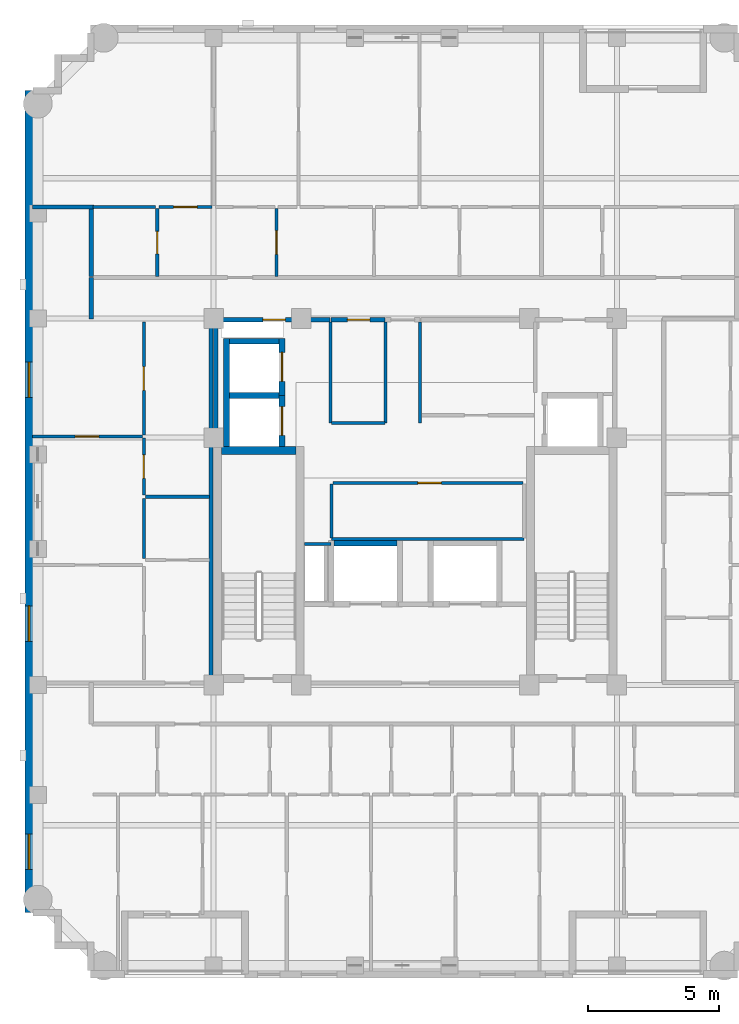
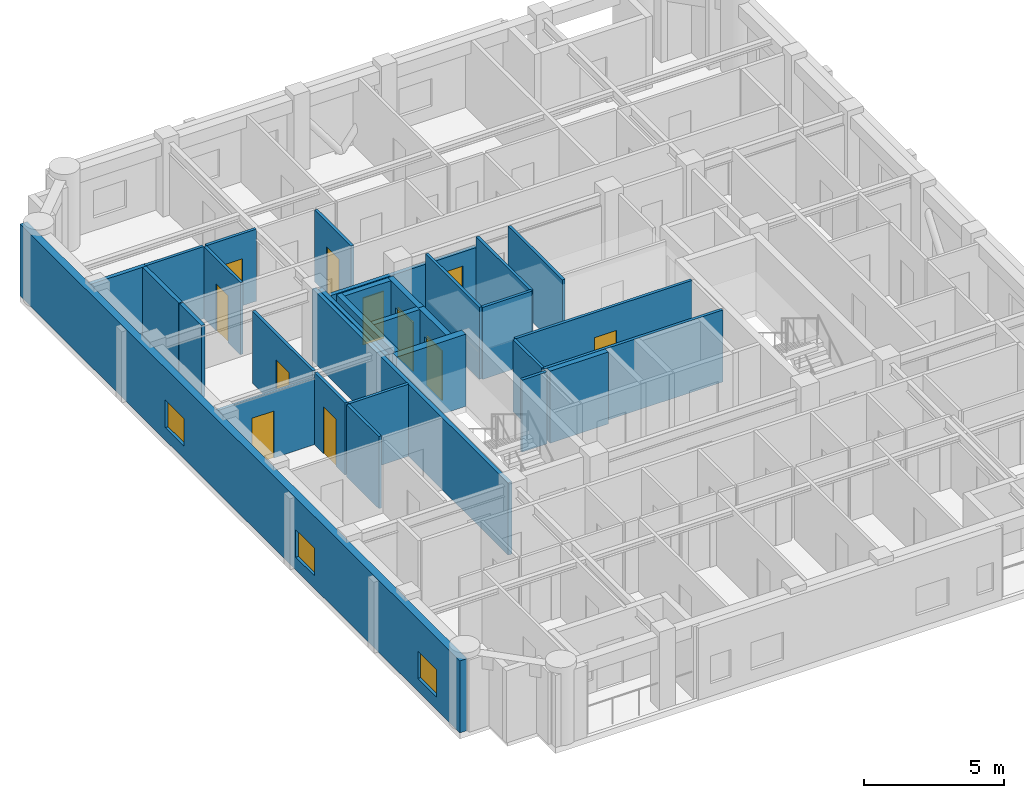
# One storey, part 5 of 11: 32 walls, 11 doors, 3 windows, 14 openings.
"""IFC4 building model written with IfcOpenShell, lengths in metres."""

from ifc_helpers import new_model, si_unit, derived_unit, direction, frame, frame_2d, origin, place, context, subcontext, project, spatial, rectangle, extrude, material, layer, layer_set, type_object, element, fill, save


model = new_model("IFC4")

# Units and contexts
model_context = context("Model", 3, precision=1e-05, world=origin(), true_north=direction((0.0, 1.0)))
body_context = subcontext(model_context, "Body", "Model", "MODEL_VIEW")
ifc_project = project(units=[si_unit("LENGTHUNIT", "METRE"), si_unit("AREAUNIT", "SQUARE_METRE"), si_unit("VOLUMEUNIT", "CUBIC_METRE"), si_unit("PLANEANGLEUNIT", "RADIAN"), si_unit("MASSUNIT", "GRAM", prefix="KILO"), derived_unit("THERMALTRANSMITTANCEUNIT", [(si_unit("MASSUNIT", "GRAM", prefix="KILO"), 1), (si_unit("TIMEUNIT", "SECOND"), -3), (si_unit("THERMODYNAMICTEMPERATUREUNIT", "KELVIN"), -1)])], contexts=[model_context])

# Site, building, storey
site_placement = place(None, origin())
site = spatial("IfcSite", under=ifc_project, at=site_placement, CompositionType="ELEMENT")
building_placement = place(site_placement, origin())
building = spatial("IfcBuilding", under=site, at=building_placement, Name="Korrvale Station Residences", CompositionType="ELEMENT")
storey_placement = place(building_placement, frame((0.0, 0.0, 224.10009765625)))
storey = spatial("IfcBuildingStorey", under=building, at=storey_placement, Name="L65", CompositionType="ELEMENT", Elevation=224.10009765625)

# Wall
ifc_material_1 = material(Name="Concrete C50/60", Category="concrete")
ifc_layer_1 = layer(ifc_material_1, 0.300048828125, Name="Concrete C50/60")
ifc_layer_set_1 = layer_set([ifc_layer_1], Name="Concrete C50/60")
wall_type_1 = type_object("IfcWallType", Name="WAL-CORE-300-C50", PredefinedType="SHEAR", material=ifc_layer_set_1)
wall_1_placement = place(storey_placement, frame((18.10009765625, 23.949951171875, 0.0), z_axis=(0.0, 0.0, 1.0), x_axis=(1.0, 0.0, 0.0)))
element("IfcWall", 1, at=wall_1_placement, inside=storey, type_object=wall_type_1, Name="L65 ST-1 Core Shear Wall North", PredefinedType="SHEAR", context=body_context, shape_type="SweptSolid", body=[
    extrude(rectangle(XDim=2.849853515625, YDim=0.300048828125, at=frame_2d((1.4248046875, 0.0))), origin(), (0.0, 0.0, 1.0), 3.139892578125),
])

# Wall, openings, windows
ifc_material_2 = material(Name="Precast concrete C45/55", Category="concrete")
ifc_layer_2 = layer(ifc_material_2, 0.300048828125, Name="Precast concrete C45/55")
ifc_layer_set_2 = layer_set([ifc_layer_2], Name="Precast concrete C45/55")
wall_type_2 = type_object("IfcWallType", Name="WAL-EXT-PC300", PredefinedType="SOLIDWALL", material=ifc_layer_set_2)
wall_2_placement = place(storey_placement, frame((10.75, 6.300048828125, 0.0), z_axis=(0.0, 0.0, 1.0), x_axis=(0.0, 1.0, 0.0)))
wall_2 = element("IfcWall", 2, at=wall_2_placement, inside=storey, type_object=wall_type_2, Name="L65 West Exterior Precast Wall 1", PredefinedType="SOLIDWALL", context=body_context, shape_type="SweptSolid", body=[
    extrude(rectangle(XDim=31.39990234375, YDim=0.300048828125, at=frame_2d((15.699951171875, 0.0))), origin(), (0.0, 0.0, 1.0), 3.139892578125),
])
opening_1_placement = place(wall_2_placement, frame((1.653076171875, 0.0, 0.550048828125)))
opening_1 = element("IfcOpeningElement", 3, at=opening_1_placement, cuts=wall_2, Name="Opening W-10", PredefinedType="OPENING", context=body_context, shape_type="SweptSolid", body=[
    extrude(rectangle(XDim=1.35009765625, YDim=1.199951171875, at=frame_2d((0.675048828125, 0.60009765625))), frame((0.0, 0.16015625, 0.0), z_axis=(0.0, -1.0, 0.0), x_axis=(1.0, 0.0, 0.0)), (0.0, 0.0, 1.0), 0.320068359375),
])
opening_2_placement = place(wall_2_placement, frame((10.366943359375, 0.0, 0.550048828125)))
opening_2 = element("IfcOpeningElement", 4, at=opening_2_placement, cuts=wall_2, Name="Opening W-10", PredefinedType="OPENING", context=body_context, shape_type="SweptSolid", body=[
    extrude(rectangle(XDim=1.35009765625, YDim=1.199951171875, at=frame_2d((0.675048828125, 0.60009765625))), frame((0.0, 0.16015625, 0.0), z_axis=(0.0, -1.0, 0.0), x_axis=(1.0, 0.0, 0.0)), (0.0, 0.0, 1.0), 0.320068359375),
])
opening_3_placement = place(wall_2_placement, frame((19.68310546875, 0.0, 0.550048828125)))
opening_3 = element("IfcOpeningElement", 5, at=opening_3_placement, cuts=wall_2, Name="Opening W-10", PredefinedType="OPENING", context=body_context, shape_type="SweptSolid", body=[
    extrude(rectangle(XDim=1.35009765625, YDim=1.199951171875, at=frame_2d((0.675048828125, 0.60009765625))), frame((0.0, 0.16015625, 0.0), z_axis=(0.0, -1.0, 0.0), x_axis=(1.0, 0.0, 0.0)), (0.0, 0.0, 1.0), 0.320068359375),
])
ifc_material_3 = material(Name="Thermally broken aluminium frame with triple low-e glazing", Category="aluminium")
window_type = type_object("IfcWindowType", Name="WIN-W10", PartitioningType="SINGLE_PANEL", PredefinedType="WINDOW", material=ifc_material_3)
window_1_placement = place(opening_1_placement, origin())
window_1 = element("IfcWindow", 6, at=window_1_placement, inside=storey, type_object=window_type, Name="L65 Punched Window 01", OverallHeight=1.199951171875, OverallWidth=1.35009765625, PartitioningType="SINGLE_PANEL", PredefinedType="WINDOW", context=body_context, shape_type="SweptSolid", body=[
    extrude(rectangle(XDim=1.35009765625, YDim=1.199951171875, at=frame_2d((0.675048828125, 0.60009765625))), frame((0.0, 0.030029296875, 0.0), z_axis=(0.0, -1.0, 0.0), x_axis=(1.0, 0.0, 0.0)), (0.0, 0.0, 1.0), 0.06005859375),
])
fill(opening_1, window_1)
window_2_placement = place(opening_2_placement, origin())
window_2 = element("IfcWindow", 7, at=window_2_placement, inside=storey, type_object=window_type, Name="L65 Punched Window 13", OverallHeight=1.199951171875, OverallWidth=1.35009765625, PartitioningType="SINGLE_PANEL", PredefinedType="WINDOW", context=body_context, shape_type="SweptSolid", body=[
    extrude(rectangle(XDim=1.35009765625, YDim=1.199951171875, at=frame_2d((0.675048828125, 0.60009765625))), frame((0.0, 0.030029296875, 0.0), z_axis=(0.0, -1.0, 0.0), x_axis=(1.0, 0.0, 0.0)), (0.0, 0.0, 1.0), 0.06005859375),
])
fill(opening_2, window_2)
window_3_placement = place(opening_3_placement, origin())
window_3 = element("IfcWindow", 8, at=window_3_placement, inside=storey, type_object=window_type, Name="L65 Punched Window 14", OverallHeight=1.199951171875, OverallWidth=1.35009765625, PartitioningType="SINGLE_PANEL", PredefinedType="WINDOW", context=body_context, shape_type="SweptSolid", body=[
    extrude(rectangle(XDim=1.35009765625, YDim=1.199951171875, at=frame_2d((0.675048828125, 0.60009765625))), frame((0.0, 0.030029296875, 0.0), z_axis=(0.0, -1.0, 0.0), x_axis=(1.0, 0.0, 0.0)), (0.0, 0.0, 1.0), 0.06005859375),
])
fill(opening_3, window_3)

# Walls
ifc_material_4 = material(Name="Acoustic steel-stud gypsum board partition", Category="steel")
ifc_layer_3 = layer(ifc_material_4, 0.1201171875, Name="Acoustic steel-stud gypsum board partition")
ifc_layer_set_3 = layer_set([ifc_layer_3], Name="Acoustic steel-stud gypsum board partition")
wall_type_3 = type_object("IfcWallType", Name="WAL-PART-125", PredefinedType="PARTITIONING", material=ifc_layer_set_3)
wall_3_placement = place(storey_placement, frame((22.280029296875, 20.3798828125, 0.0), z_axis=(0.0, 0.0, 1.0), x_axis=(-1.0, 0.0, 0.0)))
element("IfcWall", 9, at=wall_3_placement, inside=storey, type_object=wall_type_3, Name="L65 Core Partition CW-RSWT-N", PredefinedType="PARTITIONING", context=body_context, shape_type="SweptSolid", body=[
    extrude(rectangle(XDim=1.02001953125, YDim=0.1201171875, at=frame_2d((0.510009765625, 0.0))), origin(), (0.0, 0.0, 1.0), 3.139892578125),
])
for number, where, z_axis, x_axis, name in (
    (10, (24.360107421875, 25.0, 0.0), (0.0, 0.0, 1.0), (0.0, 1.0, 0.0), "L65 Core Partition CW-PSG-W"),
    (11, (25.679931640625, 25.0, 0.0), (0.0, 0.0, 1.0), (0.0, 1.0, 0.0), "L65 Core Partition CW-PSG-E"),
):
    element("IfcWall", number, at=place(storey_placement, frame(where, z_axis=z_axis, x_axis=x_axis)), inside=storey, type_object=wall_type_3, Name=name, PredefinedType="PARTITIONING", context=body_context, shape_type="SweptSolid", body=[
        extrude(rectangle(XDim=3.8701171875, YDim=0.1201171875, at=frame_2d((1.93505859375, 0.0))), origin(), (0.0, 0.0, 1.0), 3.139892578125),
    ])
wall_4_placement = place(storey_placement, frame((22.260009765625, 25.0, 0.0), z_axis=(0.0, 0.0, 1.0), x_axis=(0.0, 1.0, 0.0)))
element("IfcWall", 12, at=wall_4_placement, inside=storey, type_object=wall_type_3, Name="L65 Core Partition CW-FPLW-W", PredefinedType="PARTITIONING", context=body_context, shape_type="SweptSolid", body=[
    extrude(rectangle(XDim=3.860107421875, YDim=0.1201171875, at=frame_2d((1.93017578125, 0.0))), origin(), (0.0, 0.0, 1.0), 3.139892578125),
])
wall_5_placement = place(storey_placement, frame((22.300048828125, 25.0, 0.0), z_axis=(0.0, 0.0, 1.0), x_axis=(1.0, 0.0, 0.0)))
element("IfcWall", 13, at=wall_5_placement, inside=storey, type_object=wall_type_3, Name="L65 Core Partition CW-FPLW-S", PredefinedType="PARTITIONING", context=body_context, shape_type="SweptSolid", body=[
    extrude(rectangle(XDim=2.0400390625, YDim=0.1201171875, at=frame_2d((1.02001953125, 0.0))), origin(), (0.0, 0.0, 1.0), 3.139892578125),
])
wall_6_placement = place(storey_placement, frame((22.300048828125, 20.580078125, 0.0), z_axis=(0.0, 0.0, 1.0), x_axis=(1.0, 0.0, 0.0)))
element("IfcWall", 14, at=wall_6_placement, inside=storey, type_object=wall_type_3, Name="L65 Core Partition CW-FPM-S", PredefinedType="PARTITIONING", context=body_context, shape_type="SweptSolid", body=[
    extrude(rectangle(XDim=7.349853515625, YDim=0.1201171875, at=frame_2d((3.6748046875, 0.0))), origin(), (0.0, 0.0, 1.0), 3.139892578125),
])
wall_7_placement = place(storey_placement, frame((22.300048828125, 20.6201171875, 0.0), z_axis=(0.0, 0.0, 1.0), x_axis=(0.0, 1.0, 0.0)))
element("IfcWall", 15, at=wall_7_placement, inside=storey, type_object=wall_type_3, Name="L65 Core Partition CW-FPM-W", PredefinedType="PARTITIONING", context=body_context, shape_type="SweptSolid", body=[
    extrude(rectangle(XDim=2.059814453125, YDim=0.1201171875, at=frame_2d((1.02978515625, 0.0))), origin(), (0.0, 0.0, 1.0), 3.139892578125),
])

# Wall, opening, door
wall_8_placement = place(storey_placement, frame((22.35009765625, 22.719970703125, 0.0), z_axis=(0.0, 0.0, 1.0), x_axis=(1.0, 0.0, 0.0)))
wall_8 = element("IfcWall", 16, at=wall_8_placement, inside=storey, type_object=wall_type_3, Name="L65 Core Partition CW-FPM-N", PredefinedType="PARTITIONING", context=body_context, shape_type="SweptSolid", body=[
    extrude(rectangle(XDim=7.27001953125, YDim=0.1201171875, at=frame_2d((3.635009765625, 0.0))), origin(), (0.0, 0.0, 1.0), 3.139892578125),
])
opening_4_placement = place(wall_8_placement, frame((3.25, 0.0, 0.0)))
opening_4 = element("IfcOpeningElement", 17, at=opening_4_placement, cuts=wall_8, Name="Opening DI-900", PredefinedType="OPENING", context=body_context, shape_type="SweptSolid", body=[
    extrude(rectangle(XDim=0.89990234375, YDim=2.050048828125, at=frame_2d((0.449951171875, 1.02490234375))), frame((0.0, 0.070068359375, 0.0), z_axis=(0.0, -1.0, 0.0), x_axis=(1.0, 0.0, 0.0)), (0.0, 0.0, 1.0), 0.14013671875),
])
ifc_material_5 = material(Name="Painted solid-core timber interior room door", Category="wood")
door_type_1 = type_object("IfcDoorType", Name="DR-INT-900", OperationType="NOTDEFINED", PredefinedType="DOOR", material=ifc_material_5)
door_1_placement = place(opening_4_placement, origin())
door_1 = element("IfcDoor", 18, at=door_1_placement, inside=storey, type_object=door_type_1, Name="L65 Beverage Store Door", OperationType="SINGLE_SWING_RIGHT", OverallHeight=2.050048828125, OverallWidth=0.89990234375, PredefinedType="DOOR", context=body_context, shape_type="SweptSolid", body=[
    extrude(rectangle(XDim=0.89990234375, YDim=2.050048828125, at=frame_2d((0.449951171875, 1.02490234375))), frame((0.0, 0.02490234375, 0.0), z_axis=(0.0, -1.0, 0.0), x_axis=(1.0, 0.0, 0.0)), (0.0, 0.0, 1.0), 0.050048828125),
])
fill(opening_4, door_1)

wall_9_placement = place(storey_placement, frame((15.639892578125, 30.60009765625, 0.0), z_axis=(0.0, 0.0, 1.0), x_axis=(0.0, 1.0, 0.0)))
wall_9 = element("IfcWall", 19, at=wall_9_placement, inside=storey, type_object=wall_type_3, Name="L65 Suite Partition U02-V01", PredefinedType="PARTITIONING", context=body_context, shape_type="SweptSolid", body=[
    extrude(rectangle(XDim=2.599853515625, YDim=0.1201171875, at=frame_2d((1.2998046875, 0.0))), origin(), (0.0, 0.0, 1.0), 3.139892578125),
])
opening_5_placement = place(wall_9_placement, frame((0.8701171875, 0.0, 0.0)))
opening_5 = element("IfcOpeningElement", 20, at=opening_5_placement, cuts=wall_9, Name="Opening DB-860", PredefinedType="OPENING", context=body_context, shape_type="SweptSolid", body=[
    extrude(rectangle(XDim=0.860107421875, YDim=2.050048828125, at=frame_2d((0.43017578125, 1.02490234375))), frame((0.0, 0.070068359375, 0.0), z_axis=(0.0, -1.0, 0.0), x_axis=(1.0, 0.0, 0.0)), (0.0, 0.0, 1.0), 0.14013671875),
])
ifc_material_6 = material(Name="Moisture-resistant solid-core bathroom door", Category="timber")
door_type_2 = type_object("IfcDoorType", Name="DR-BATH-860", OperationType="NOTDEFINED", PredefinedType="DOOR", material=ifc_material_6)
door_2_placement = place(opening_5_placement, origin())
door_2 = element("IfcDoor", 21, at=door_2_placement, inside=storey, type_object=door_type_2, Name="L65 Apartment 2BR L65-U02 Bathroom Door", OperationType="SINGLE_SWING_LEFT", OverallHeight=2.050048828125, OverallWidth=0.860107421875, PredefinedType="DOOR", context=body_context, shape_type="SweptSolid", body=[
    extrude(rectangle(XDim=0.860107421875, YDim=2.050048828125, at=frame_2d((0.43017578125, 1.02490234375))), frame((0.0, 0.02490234375, 0.0), z_axis=(0.0, -1.0, 0.0), x_axis=(1.0, 0.0, 0.0)), (0.0, 0.0, 1.0), 0.050048828125),
])
fill(opening_5, door_2)

# Wall
wall_10_placement = place(storey_placement, frame((13.179931640625, 33.260009765625, 0.0), z_axis=(0.0, 0.0, 1.0), x_axis=(1.0, 0.0, 0.0)))
element("IfcWall", 22, at=wall_10_placement, inside=storey, type_object=wall_type_3, Name="L65 Suite Partition U02-H05", PredefinedType="PARTITIONING", context=body_context, shape_type="SweptSolid", body=[
    extrude(rectangle(XDim=2.400146484375, YDim=0.1201171875, at=frame_2d((1.2001953125, 0.0))), origin(), (0.0, 0.0, 1.0), 3.139892578125),
])

# Wall, opening, door
wall_11_placement = place(storey_placement, frame((20.199951171875, 30.60009765625, 0.0), z_axis=(0.0, 0.0, 1.0), x_axis=(0.0, 1.0, 0.0)))
wall_11 = element("IfcWall", 23, at=wall_11_placement, inside=storey, type_object=wall_type_3, Name="L65 Suite Partition U02-V12", PredefinedType="PARTITIONING", context=body_context, shape_type="SweptSolid", body=[
    extrude(rectangle(XDim=2.599853515625, YDim=0.1201171875, at=frame_2d((1.2998046875, 0.0))), origin(), (0.0, 0.0, 1.0), 3.139892578125),
])
opening_6_placement = place(wall_11_placement, frame((0.85009765625, 0.0, 0.0)))
opening_6 = element("IfcOpeningElement", 24, at=opening_6_placement, cuts=wall_11, Name="Opening DI-900", PredefinedType="OPENING", context=body_context, shape_type="SweptSolid", body=[
    extrude(rectangle(XDim=0.89990234375, YDim=2.050048828125, at=frame_2d((0.449951171875, 1.02490234375))), frame((0.0, 0.070068359375, 0.0), z_axis=(0.0, -1.0, 0.0), x_axis=(1.0, 0.0, 0.0)), (0.0, 0.0, 1.0), 0.14013671875),
])
door_3_placement = place(opening_6_placement, origin())
door_3 = element("IfcDoor", 25, at=door_3_placement, inside=storey, type_object=door_type_1, Name="L65 Apartment 2BR L65-U02 Kitchen Door", OperationType="SINGLE_SWING_RIGHT", OverallHeight=2.050048828125, OverallWidth=0.89990234375, PredefinedType="DOOR", context=body_context, shape_type="SweptSolid", body=[
    extrude(rectangle(XDim=0.89990234375, YDim=2.050048828125, at=frame_2d((0.449951171875, 1.02490234375))), frame((0.0, 0.02490234375, 0.0), z_axis=(0.0, -1.0, 0.0), x_axis=(1.0, 0.0, 0.0)), (0.0, 0.0, 1.0), 0.050048828125),
])
fill(opening_6, door_3)

wall_12_placement = place(storey_placement, frame((15.699951171875, 33.260009765625, 0.0), z_axis=(0.0, 0.0, 1.0), x_axis=(1.0, 0.0, 0.0)))
wall_12 = element("IfcWall", 26, at=wall_12_placement, inside=storey, type_object=wall_type_3, Name="L65 Suite Partition U02-H15", PredefinedType="PARTITIONING", context=body_context, shape_type="SweptSolid", body=[
    extrude(rectangle(XDim=2.0400390625, YDim=0.1201171875, at=frame_2d((1.02001953125, 0.0))), origin(), (0.0, 0.0, 1.0), 3.139892578125),
])
opening_7_placement = place(wall_12_placement, frame((0.570068359375, 0.0, 0.0)))
opening_7 = element("IfcOpeningElement", 27, at=opening_7_placement, cuts=wall_12, Name="Opening DI-900", PredefinedType="OPENING", context=body_context, shape_type="SweptSolid", body=[
    extrude(rectangle(XDim=0.89990234375, YDim=2.050048828125, at=frame_2d((0.449951171875, 1.02490234375))), frame((0.0, 0.070068359375, 0.0), z_axis=(0.0, -1.0, 0.0), x_axis=(1.0, 0.0, 0.0)), (0.0, 0.0, 1.0), 0.14013671875),
])
door_4_placement = place(opening_7_placement, origin())
door_4 = element("IfcDoor", 28, at=door_4_placement, inside=storey, type_object=door_type_1, Name="L65 Apartment 2BR L65-U02 Kitchen Door", OperationType="SINGLE_SWING_LEFT", OverallHeight=2.050048828125, OverallWidth=0.89990234375, PredefinedType="DOOR", context=body_context, shape_type="SweptSolid", body=[
    extrude(rectangle(XDim=0.89990234375, YDim=2.050048828125, at=frame_2d((0.449951171875, 1.02490234375))), frame((0.0, 0.02490234375, 0.0), z_axis=(0.0, -1.0, 0.0), x_axis=(1.0, 0.0, 0.0)), (0.0, 0.0, 1.0), 0.050048828125),
])
fill(opening_7, door_4)

# Wall
wall_13_placement = place(storey_placement, frame((15.18994140625, 22.18994140625, 0.0), z_axis=(0.0, 0.0, 1.0), x_axis=(1.0, 0.0, 0.0)))
element("IfcWall", 29, at=wall_13_placement, inside=storey, type_object=wall_type_3, Name="L65 Suite Partition U04-H01", PredefinedType="PARTITIONING", context=body_context, shape_type="SweptSolid", body=[
    extrude(rectangle(XDim=2.449951171875, YDim=0.1201171875, at=frame_2d((1.22509765625, 0.0))), origin(), (0.0, 0.0, 1.0), 3.139892578125),
])

# Wall, opening, door
wall_14_placement = place(storey_placement, frame((15.1298828125, 22.25, 0.0), z_axis=(0.0, 0.0, 1.0), x_axis=(0.0, 1.0, 0.0)))
wall_14 = element("IfcWall", 30, at=wall_14_placement, inside=storey, type_object=wall_type_3, Name="L65 Suite Partition U04-V04", PredefinedType="PARTITIONING", context=body_context, shape_type="SweptSolid", body=[
    extrude(rectangle(XDim=2.181884765625, YDim=0.1201171875, at=frame_2d((1.0908203125, 0.0))), origin(), (0.0, 0.0, 1.0), 3.139892578125),
])
opening_8_placement = place(wall_14_placement, frame((0.64111328125, 0.0, 0.0)))
opening_8 = element("IfcOpeningElement", 31, at=opening_8_placement, cuts=wall_14, Name="Opening DI-900", PredefinedType="OPENING", context=body_context, shape_type="SweptSolid", body=[
    extrude(rectangle(XDim=0.89990234375, YDim=2.050048828125, at=frame_2d((0.449951171875, 1.02490234375))), frame((0.0, 0.070068359375, 0.0), z_axis=(0.0, -1.0, 0.0), x_axis=(1.0, 0.0, 0.0)), (0.0, 0.0, 1.0), 0.14013671875),
])
door_5_placement = place(opening_8_placement, origin())
door_5 = element("IfcDoor", 32, at=door_5_placement, inside=storey, type_object=door_type_1, Name="L65 Apartment 2BR L65-U04 Wardrobe Storage Room Door", OperationType="SINGLE_SWING_LEFT", OverallHeight=2.050048828125, OverallWidth=0.89990234375, PredefinedType="DOOR", context=body_context, shape_type="SweptSolid", body=[
    extrude(rectangle(XDim=0.89990234375, YDim=2.050048828125, at=frame_2d((0.449951171875, 1.02490234375))), frame((0.0, 0.02490234375, 0.0), z_axis=(0.0, -1.0, 0.0), x_axis=(1.0, 0.0, 0.0)), (0.0, 0.0, 1.0), 0.050048828125),
])
fill(opening_8, door_5)

wall_15_placement = place(storey_placement, frame((15.1298828125, 24.552001953125, 0.0), z_axis=(0.0, 0.0, 1.0), x_axis=(0.0, 1.0, 0.0)))
wall_15 = element("IfcWall", 33, at=wall_15_placement, inside=storey, type_object=wall_type_3, Name="L65 Suite Partition U04-V05", PredefinedType="PARTITIONING", context=body_context, shape_type="SweptSolid", body=[
    extrude(rectangle(XDim=4.30810546875, YDim=0.1201171875, at=frame_2d((2.154052734375, 0.0))), origin(), (0.0, 0.0, 1.0), 3.139892578125),
])
opening_9_placement = place(wall_15_placement, frame((1.7041015625, 0.0, 0.0)))
opening_9 = element("IfcOpeningElement", 34, at=opening_9_placement, cuts=wall_15, Name="Opening DI-900", PredefinedType="OPENING", context=body_context, shape_type="SweptSolid", body=[
    extrude(rectangle(XDim=0.89990234375, YDim=2.050048828125, at=frame_2d((0.449951171875, 1.02490234375))), frame((0.0, 0.070068359375, 0.0), z_axis=(0.0, -1.0, 0.0), x_axis=(1.0, 0.0, 0.0)), (0.0, 0.0, 1.0), 0.14013671875),
])
door_6_placement = place(opening_9_placement, origin())
door_6 = element("IfcDoor", 35, at=door_6_placement, inside=storey, type_object=door_type_1, Name="L65 Apartment 2BR L65-U04 Wardrobe Storage Room Door", OperationType="SINGLE_SWING_RIGHT", OverallHeight=2.050048828125, OverallWidth=0.89990234375, PredefinedType="DOOR", context=body_context, shape_type="SweptSolid", body=[
    extrude(rectangle(XDim=0.89990234375, YDim=2.050048828125, at=frame_2d((0.449951171875, 1.02490234375))), frame((0.0, 0.02490234375, 0.0), z_axis=(0.0, -1.0, 0.0), x_axis=(1.0, 0.0, 0.0)), (0.0, 0.0, 1.0), 0.050048828125),
])
fill(opening_9, door_6)

# Wall
wall_16_placement = place(storey_placement, frame((15.1298828125, 19.830078125, 0.0), z_axis=(0.0, 0.0, 1.0), x_axis=(0.0, 1.0, 0.0)))
element("IfcWall", 36, at=wall_16_placement, inside=storey, type_object=wall_type_3, Name="L65 Suite Partition U04-V14", PredefinedType="PARTITIONING", context=body_context, shape_type="SweptSolid", body=[
    extrude(rectangle(XDim=2.2998046875, YDim=0.1201171875, at=frame_2d((1.14990234375, 0.0))), origin(), (0.0, 0.0, 1.0), 3.139892578125),
])

# Wall, opening, door
wall_17_placement = place(storey_placement, frame((10.8798828125, 24.491943359375, 0.0), z_axis=(0.0, 0.0, 1.0), x_axis=(1.0, 0.0, 0.0)))
wall_17 = element("IfcWall", 37, at=wall_17_placement, inside=storey, type_object=wall_type_3, Name="L65 Suite Partition U04-H45", PredefinedType="PARTITIONING", context=body_context, shape_type="SweptSolid", body=[
    extrude(rectangle(XDim=4.190185546875, YDim=0.1201171875, at=frame_2d((2.09521484375, 0.0))), origin(), (0.0, 0.0, 1.0), 2.8779296875),
])
opening_10_placement = place(wall_17_placement, frame((1.6298828125, 0.0, 0.0)))
opening_10 = element("IfcOpeningElement", 38, at=opening_10_placement, cuts=wall_17, Name="Opening DI-900", PredefinedType="OPENING", context=body_context, shape_type="SweptSolid", body=[
    extrude(rectangle(XDim=0.89990234375, YDim=2.050048828125, at=frame_2d((0.449951171875, 1.02490234375))), frame((0.0, 0.070068359375, 0.0), z_axis=(0.0, -1.0, 0.0), x_axis=(1.0, 0.0, 0.0)), (0.0, 0.0, 1.0), 0.14013671875),
])
door_7_placement = place(opening_10_placement, origin())
door_7 = element("IfcDoor", 39, at=door_7_placement, inside=storey, type_object=door_type_1, Name="L65 Apartment 2BR L65-U04 Living and Dining Room Door", OperationType="SINGLE_SWING_RIGHT", OverallHeight=2.050048828125, OverallWidth=0.89990234375, PredefinedType="DOOR", context=body_context, shape_type="SweptSolid", body=[
    extrude(rectangle(XDim=0.89990234375, YDim=2.050048828125, at=frame_2d((0.449951171875, 1.02490234375))), frame((0.0, 0.02490234375, 0.0), z_axis=(0.0, -1.0, 0.0), x_axis=(1.0, 0.0, 0.0)), (0.0, 0.0, 1.0), 0.050048828125),
])
fill(opening_10, door_7)

# Wall
ifc_material_7 = material(Name="Fire-rated twin-stud gypsum and mineral wool shaftwall assembly", Category="gypsum")
ifc_layer_4 = layer(ifc_material_7, 0.159912109375, Name="Fire-rated twin-stud gypsum and mineral wool shaftwall assembly")
ifc_layer_set_4 = layer_set([ifc_layer_4], Name="Fire-rated twin-stud gypsum and mineral wool shaftwall assembly")
wall_type_4 = type_object("IfcWallType", Name="WAL-PART-200", PredefinedType="PARTITIONING", material=ifc_layer_set_4)
wall_18_placement = place(storey_placement, frame((17.8798828125, 24.1201171875, 0.0), z_axis=(0.0, 0.0, 1.0), x_axis=(0.0, 1.0, 0.0)))
element("IfcWall", 40, at=wall_18_placement, inside=storey, type_object=wall_type_4, Name="L65 Core Partition CW-W-N", PredefinedType="PARTITIONING", context=body_context, shape_type="SweptSolid", body=[
    extrude(rectangle(XDim=4.759765625, YDim=0.159912109375, at=frame_2d((2.3798828125, 0.0))), origin(), (0.0, 0.0, 1.0), 3.139892578125),
])

# Wall, opening, door
wall_19_placement = place(storey_placement, frame((17.9599609375, 28.949951171875, 0.0), z_axis=(0.0, 0.0, 1.0), x_axis=(1.0, 0.0, 0.0)))
wall_19 = element("IfcWall", 41, at=wall_19_placement, inside=storey, type_object=wall_type_4, Name="L65 Core Partition CW-NW", PredefinedType="PARTITIONING", context=body_context, shape_type="SweptSolid", body=[
    extrude(rectangle(XDim=4.2900390625, YDim=0.159912109375, at=frame_2d((2.14501953125, 0.0))), origin(), (0.0, 0.0, 1.0), 2.66796875),
])
opening_11_placement = place(wall_19_placement, frame((1.715087890625, 0.0, 0.0)))
opening_11 = element("IfcOpeningElement", 42, at=opening_11_placement, cuts=wall_19, Name="Opening DB-860", PredefinedType="OPENING", context=body_context, shape_type="SweptSolid", body=[
    extrude(rectangle(XDim=0.860107421875, YDim=2.050048828125, at=frame_2d((0.43017578125, 1.02490234375))), frame((0.0, 0.08984375, 0.0), z_axis=(0.0, -1.0, 0.0), x_axis=(1.0, 0.0, 0.0)), (0.0, 0.0, 1.0), 0.179931640625),
])
door_8_placement = place(opening_11_placement, origin())
door_8 = element("IfcDoor", 43, at=door_8_placement, inside=storey, type_object=door_type_2, Name="L65 Electrical Riser Access Door", OperationType="SINGLE_SWING_RIGHT", OverallHeight=2.050048828125, OverallWidth=0.860107421875, PredefinedType="DOOR", context=body_context, shape_type="SweptSolid", body=[
    extrude(rectangle(XDim=0.860107421875, YDim=2.050048828125, at=frame_2d((0.43017578125, 1.02490234375))), frame((0.0, 0.02490234375, 0.0), z_axis=(0.0, -1.0, 0.0), x_axis=(1.0, 0.0, 0.0)), (0.0, 0.0, 1.0), 0.050048828125),
])
fill(opening_11, door_8)

wall_20_placement = place(storey_placement, frame((22.280029296875, 28.949951171875, 0.0), z_axis=(0.0, 0.0, 1.0), x_axis=(1.0, 0.0, 0.0)))
wall_20 = element("IfcWall", 44, at=wall_20_placement, inside=storey, type_object=wall_type_4, Name="L65 Core Partition CW-FPLW-N", PredefinedType="PARTITIONING", context=body_context, shape_type="SweptSolid", body=[
    extrude(rectangle(XDim=2.06005859375, YDim=0.159912109375, at=frame_2d((1.030029296875, 0.0))), origin(), (0.0, 0.0, 1.0), 2.66796875),
])
opening_12_placement = place(wall_20_placement, frame((0.6201171875, 0.0, 0.0)))
opening_12 = element("IfcOpeningElement", 45, at=opening_12_placement, cuts=wall_20, Name="Opening DB-860", PredefinedType="OPENING", context=body_context, shape_type="SweptSolid", body=[
    extrude(rectangle(XDim=0.860107421875, YDim=2.050048828125, at=frame_2d((0.43017578125, 1.02490234375))), frame((0.0, 0.08984375, 0.0), z_axis=(0.0, -1.0, 0.0), x_axis=(1.0, 0.0, 0.0)), (0.0, 0.0, 1.0), 0.179931640625),
])
door_9_placement = place(opening_12_placement, origin())
door_9 = element("IfcDoor", 46, at=door_9_placement, inside=storey, type_object=door_type_2, Name="L65 Resident Parcel Room Door", OperationType="SINGLE_SWING_RIGHT", OverallHeight=2.050048828125, OverallWidth=0.860107421875, PredefinedType="DOOR", context=body_context, shape_type="SweptSolid", body=[
    extrude(rectangle(XDim=0.860107421875, YDim=2.050048828125, at=frame_2d((0.43017578125, 1.02490234375))), frame((0.0, 0.02490234375, 0.0), z_axis=(0.0, -1.0, 0.0), x_axis=(1.0, 0.0, 0.0)), (0.0, 0.0, 1.0), 0.050048828125),
])
fill(opening_12, door_9)

# Walls
wall_21_placement = place(storey_placement, frame((13.1201171875, 28.97998046875, 0.0), z_axis=(0.0, 0.0, 1.0), x_axis=(0.0, 1.0, 0.0)))
element("IfcWall", 47, at=wall_21_placement, inside=storey, type_object=wall_type_4, Name="L65 Corridor North West Cap", PredefinedType="PARTITIONING", context=body_context, shape_type="SweptSolid", body=[
    extrude(rectangle(XDim=1.580078125, YDim=0.159912109375, at=frame_2d((0.7900390625, 0.0))), origin(), (0.0, 0.0, 1.0), 3.139892578125),
])
wall_22_placement = place(storey_placement, frame((10.8798828125, 33.260009765625, 0.0), z_axis=(0.0, 0.0, 1.0), x_axis=(1.0, 0.0, 0.0)))
element("IfcWall", 48, at=wall_22_placement, inside=storey, type_object=wall_type_4, Name="L65 Corner Step Wall U02-L", PredefinedType="PARTITIONING", context=body_context, shape_type="SweptSolid", body=[
    extrude(rectangle(XDim=2.340087890625, YDim=0.159912109375, at=frame_2d((1.169921875, 0.0))), origin(), (0.0, 0.0, 1.0), 3.139892578125),
])
wall_23_placement = place(storey_placement, frame((13.1201171875, 30.60009765625, 0.0), z_axis=(0.0, 0.0, 1.0), x_axis=(0.0, 1.0, 0.0)))
element("IfcWall", 49, at=wall_23_placement, inside=storey, type_object=wall_type_4, Name="L65 Corner Step Cheek U02-L", PredefinedType="PARTITIONING", context=body_context, shape_type="SweptSolid", body=[
    extrude(rectangle(XDim=2.659912109375, YDim=0.159912109375, at=frame_2d((1.330078125, 0.0))), origin(), (0.0, 0.0, 1.0), 3.139892578125),
])
wall_24_placement = place(storey_placement, frame((17.699951171875, 15.02001953125, 0.0), z_axis=(0.0, 0.0, 1.0), x_axis=(0.0, 1.0, 0.0)))
element("IfcWall", 50, at=wall_24_placement, inside=storey, type_object=wall_type_4, Name="L65 Rated Corridor Wall W", PredefinedType="PARTITIONING", context=body_context, shape_type="SweptSolid", body=[
    extrude(rectangle(XDim=13.97998046875, YDim=0.159912109375, at=frame_2d((6.989990234375, 0.0))), origin(), (0.0, 0.0, 1.0), 3.139892578125),
])
ifc_layer_5 = layer(ifc_material_1, 0.219970703125, Name="Concrete C50/60")
ifc_layer_set_5 = layer_set([ifc_layer_5], Name="Concrete C50/60")
wall_type_5 = type_object("IfcWallType", Name="WAL-SHAFT-220-C50", PredefinedType="SHEAR", material=ifc_layer_set_5)
wall_25_placement = place(storey_placement, frame((18.2900390625, 24.10009765625, 0.0), z_axis=(0.0, 0.0, 1.0), x_axis=(0.0, 1.0, 0.0)))
element("IfcWall", 51, at=wall_25_placement, inside=storey, type_object=wall_type_5, Name="L65 Elevator PH-1 Hoistway Wall West", PredefinedType="SHEAR", context=body_context, shape_type="SweptSolid", body=[
    extrude(rectangle(XDim=4.139892578125, YDim=0.219970703125, at=frame_2d((2.06982421875, 0.0))), origin(), (0.0, 0.0, 1.0), 3.139892578125),
])

# Wall, opening, door
wall_26_placement = place(storey_placement, frame((20.409912109375, 24.10009765625, 0.0), z_axis=(0.0, 0.0, 1.0), x_axis=(0.0, 1.0, 0.0)))
wall_26 = element("IfcWall", 52, at=wall_26_placement, inside=storey, type_object=wall_type_5, Name="L65 Elevator PH-1 Hoistway Wall East", PredefinedType="SHEAR", context=body_context, shape_type="SweptSolid", body=[
    extrude(rectangle(XDim=1.9599609375, YDim=0.219970703125, at=frame_2d((0.97998046875, 0.0))), origin(), (0.0, 0.0, 1.0), 3.139892578125),
])
opening_13_placement = place(wall_26_placement, frame((0.429931640625, 0.0, 0.0)))
opening_13 = element("IfcOpeningElement", 53, at=opening_13_placement, cuts=wall_26, Name="Opening LD-1100", PredefinedType="OPENING", context=body_context, shape_type="SweptSolid", body=[
    extrude(rectangle(XDim=1.10009765625, YDim=2.14990234375, at=frame_2d((0.550048828125, 1.074951171875))), frame((0.0, 0.1201171875, 0.0), z_axis=(0.0, -1.0, 0.0), x_axis=(1.0, 0.0, 0.0)), (0.0, 0.0, 1.0), 0.239990234375),
])
ifc_material_8 = material(Name="Brushed stainless-steel elevator landing sliding door", Category="steel")
door_type_3 = type_object("IfcDoorType", Name="DR-LIFT-1100", OperationType="SLIDING_TO_LEFT", PredefinedType="DOOR", material=ifc_material_8)
door_10_placement = place(opening_13_placement, origin())
door_10 = element("IfcDoor", 54, at=door_10_placement, inside=storey, type_object=door_type_3, Name="L65 Elevator PH-1 Sliding Landing Door", OperationType="SLIDING_TO_LEFT", OverallHeight=2.14990234375, OverallWidth=1.10009765625, PredefinedType="DOOR", context=body_context, shape_type="SweptSolid", body=[
    extrude(rectangle(XDim=1.10009765625, YDim=2.14990234375, at=frame_2d((0.550048828125, 1.074951171875))), frame((0.0, 0.02490234375, 0.0), z_axis=(0.0, -1.0, 0.0), x_axis=(1.0, 0.0, 0.0)), (0.0, 0.0, 1.0), 0.050048828125),
])
fill(opening_13, door_10)

# Walls
for number, where, z_axis, x_axis, name in (
    (55, (18.39990234375, 26.06005859375, 0.0), (0.0, 0.0, 1.0), (1.0, 0.0, 0.0), "L65 Elevator PH-2 Hoistway Wall South"),
    (56, (18.39990234375, 28.1298828125, 0.0), (0.0, 0.0, 1.0), (1.0, 0.0, 0.0), "L65 Elevator PH-2 Hoistway Wall North"),
):
    element("IfcWall", number, at=place(storey_placement, frame(where, z_axis=z_axis, x_axis=x_axis)), inside=storey, type_object=wall_type_5, Name=name, PredefinedType="SHEAR", context=body_context, shape_type="SweptSolid", body=[
        extrude(rectangle(XDim=1.900146484375, YDim=0.219970703125, at=frame_2d((0.9501953125, 0.0))), origin(), (0.0, 0.0, 1.0), 3.139892578125),
    ])

# Wall, opening, door
wall_27_placement = place(storey_placement, frame((20.409912109375, 26.06005859375, 0.0), z_axis=(0.0, 0.0, 1.0), x_axis=(0.0, 1.0, 0.0)))
wall_27 = element("IfcWall", 57, at=wall_27_placement, inside=storey, type_object=wall_type_5, Name="L65 Elevator PH-2 Hoistway Wall East", PredefinedType="SHEAR", context=body_context, shape_type="SweptSolid", body=[
    extrude(rectangle(XDim=2.179931640625, YDim=0.219970703125, at=frame_2d((1.08984375, 0.0))), origin(), (0.0, 0.0, 1.0), 3.139892578125),
])
opening_14_placement = place(wall_27_placement, frame((0.5400390625, 0.0, 0.0)))
opening_14 = element("IfcOpeningElement", 58, at=opening_14_placement, cuts=wall_27, Name="Opening LD-1100", PredefinedType="OPENING", context=body_context, shape_type="SweptSolid", body=[
    extrude(rectangle(XDim=1.10009765625, YDim=2.14990234375, at=frame_2d((0.550048828125, 1.074951171875))), frame((0.0, 0.1201171875, 0.0), z_axis=(0.0, -1.0, 0.0), x_axis=(1.0, 0.0, 0.0)), (0.0, 0.0, 1.0), 0.239990234375),
])
door_11_placement = place(opening_14_placement, origin())
door_11 = element("IfcDoor", 59, at=door_11_placement, inside=storey, type_object=door_type_3, Name="L65 Elevator PH-2 Sliding Landing Door", OperationType="SLIDING_TO_LEFT", OverallHeight=2.14990234375, OverallWidth=1.10009765625, PredefinedType="DOOR", context=body_context, shape_type="SweptSolid", body=[
    extrude(rectangle(XDim=1.10009765625, YDim=2.14990234375, at=frame_2d((0.550048828125, 1.074951171875))), frame((0.0, 0.02490234375, 0.0), z_axis=(0.0, -1.0, 0.0), x_axis=(1.0, 0.0, 0.0)), (0.0, 0.0, 1.0), 0.050048828125),
])
fill(opening_14, door_11)

# Wall
wall_28_placement = place(storey_placement, frame((22.39990234375, 20.409912109375, 0.0), z_axis=(0.0, 0.0, 1.0), x_axis=(1.0, 0.0, 0.0)))
element("IfcWall", 60, at=wall_28_placement, inside=storey, type_object=wall_type_5, Name="L65 Elevator FFL-1 Hoistway Wall North", PredefinedType="SHEAR", context=body_context, shape_type="SweptSolid", body=[
    extrude(rectangle(XDim=2.400146484375, YDim=0.219970703125, at=frame_2d((1.2001953125, 0.0))), origin(), (0.0, 0.0, 1.0), 3.139892578125),
])

save(model, "model.ifc")
